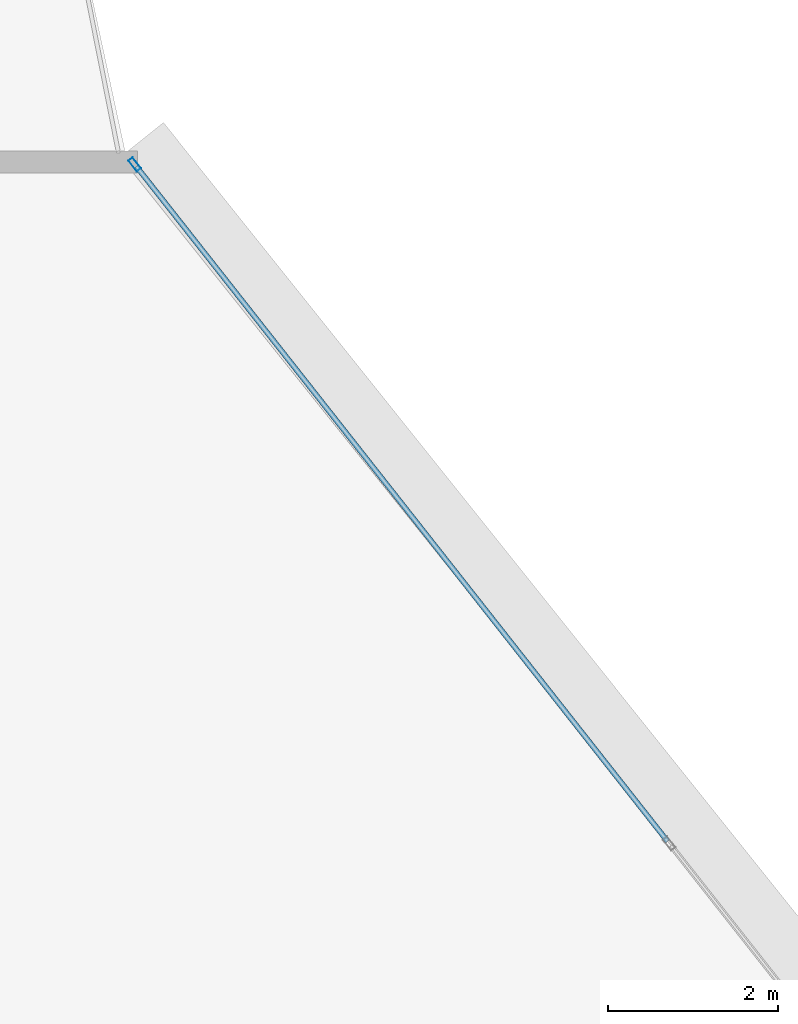
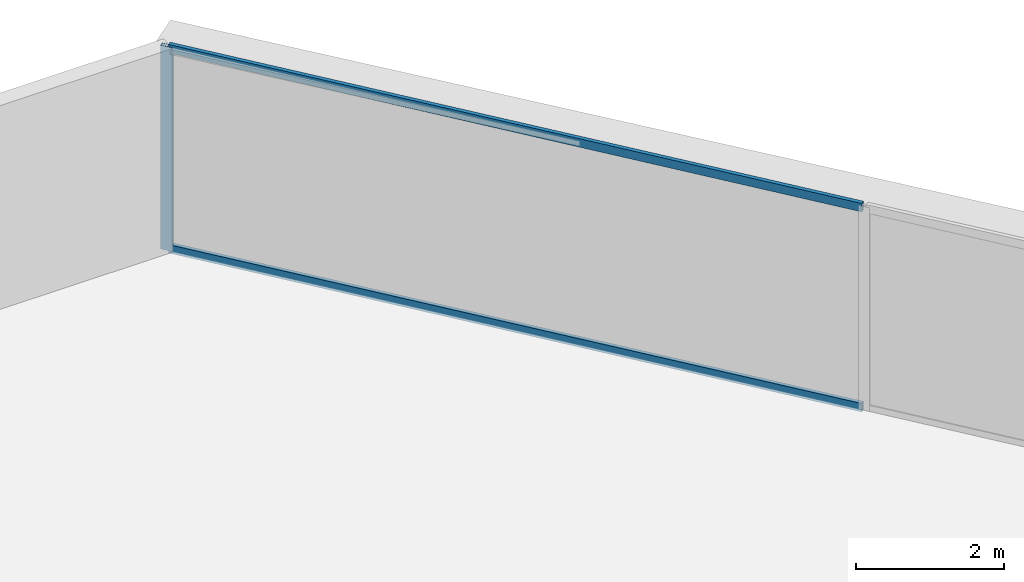
# One storey, part 27 of 38: 3 members, 1 element without a shape of its own.
"""IFC4 building model written with IfcOpenShell, lengths in metres."""

from ifc_helpers import new_model, si_unit, direction, frame, origin, origin_2d, place, context, subcontext, project, spatial, hollow_rectangle, extrude, source, transform, mapped, material, layer, layer_set, material_profile, profile_set, type_object, element, aggregate, save


model = new_model("IFC4")

# Units and contexts
model_context = context("Model", 3, precision=1e-05, world=origin(), true_north=direction((0.0, 1.0)))
body_context = subcontext(model_context, "Body", "Model", "MODEL_VIEW")
ifc_project = project(units=[si_unit("LENGTHUNIT", "METRE"), si_unit("AREAUNIT", "SQUARE_METRE"), si_unit("VOLUMEUNIT", "CUBIC_METRE"), si_unit("PLANEANGLEUNIT", "RADIAN"), si_unit("MASSUNIT", "GRAM", prefix="KILO"), si_unit("THERMODYNAMICTEMPERATUREUNIT", "KELVIN"), si_unit("POWERUNIT", "WATT")], contexts=[model_context])

# Site, building, storey
site_placement = place(None, origin())
site = spatial("IfcSite", under=ifc_project, at=site_placement, CompositionType="ELEMENT")
building_placement = place(site_placement, origin())
building = spatial("IfcBuilding", under=site, at=building_placement, Name="Yunzhuo Pagoda Commons", CompositionType="ELEMENT")
storey_placement = place(building_placement, frame((0.0, 0.0, 37.659912109375)))
storey = spatial("IfcBuildingStorey", under=building, at=storey_placement, Name="L09", CompositionType="ELEMENT", Elevation=37.659912109375)

# Curtain wall, members
ifc_material = material(Name="Anodized aluminium 6063-T6", Category="aluminium")
ifc_layer = layer(ifc_material, 0.1650390625)
ifc_layer_set = layer_set([ifc_layer], Name="Anodized aluminium 6063-T6")
curtain_wall_type = type_object("IfcCurtainWallType", Name="CW-LOW Low-Zone Ribbon Curtain Wall", PredefinedType="NOTDEFINED", material=ifc_layer_set)
curtain_wall_placement = place(storey_placement, origin())
curtain_wall = element("IfcCurtainWall", 1, at=curtain_wall_placement, inside=storey, type_object=curtain_wall_type, Name="L09 curtain wall CW-L09-F2B5", PredefinedType="NOTDEFINED")
ifc_material_profile_1 = material_profile(ifc_material, hollow_rectangle(XDim=0.06005859375, YDim=0.139892578125, WallThickness=0.00341796875, at=origin_2d()), Name="Anodized aluminium 6063-T6")
ifc_profile_set_1 = profile_set([ifc_material_profile_1], Name="Anodized aluminium 6063-T6")
member_type_1 = type_object("IfcMemberType", Name="CW-LOW-T Transom RHS 140x60x3.5", PredefinedType="USERDEFINED", material=ifc_profile_set_1)
shared_shape_1 = source(origin(), body_context, "Body", "SweptSolid", [
    extrude(hollow_rectangle(XDim=0.06005859375, YDim=0.139892578125, WallThickness=0.00341796875, at=origin_2d()), origin(), (0.0, 0.0, 1.0), 10.11669921875),
])
member_1_placement = place(storey_placement, frame((59.0556640625, 80.980224609375, 0.030029296875), z_axis=(-0.618471475788, 0.785807249672, 0.0), x_axis=(-0.785807249672, -0.618471475788, 0.0)))
member_1 = element("IfcMember", 2, at=member_1_placement, type_object=member_type_1, Name="CW transom 2.1", ObjectType="TRANSOM", PredefinedType="USERDEFINED", context=body_context, shape_type="MappedRepresentation", body=[
    mapped(shared_shape_1, transform((0.0, 0.0, 0.0), scale=1.0)),
])
member_2_placement = place(storey_placement, frame((59.0556640625, 80.980224609375, 3.340087890625), z_axis=(-0.618471475788, 0.785807249672, 0.0), x_axis=(-0.785807249672, -0.618471475788, 0.0)))
member_2 = element("IfcMember", 3, at=member_2_placement, type_object=member_type_1, Name="CW transom 2.2", ObjectType="TRANSOM", PredefinedType="USERDEFINED", context=body_context, shape_type="MappedRepresentation", body=[
    mapped(shared_shape_1, transform((0.0, 0.0, 0.0), scale=1.0)),
])
ifc_material_profile_2 = material_profile(ifc_material, hollow_rectangle(XDim=0.06494140625, YDim=0.1650390625, WallThickness=0.00390625, at=origin_2d()), Name="Anodized aluminium 6063-T6")
ifc_profile_set_2 = profile_set([ifc_material_profile_2], Name="Anodized aluminium 6063-T6")
member_type_2 = type_object("IfcMemberType", Name="CW-LOW-M Mullion RHS 165x65x4", PredefinedType="MULLION", material=ifc_profile_set_2)
shared_shape_2 = source(origin(), body_context, "Body", "SweptSolid", [
    extrude(hollow_rectangle(XDim=0.06494140625, YDim=0.1650390625, WallThickness=0.00390625, at=origin_2d()), origin(), (0.0, 0.0, 1.0), 3.3701171875),
])
member_3_placement = place(storey_placement, frame((52.77880859375, 88.955322265625, 0.0), z_axis=(0.0, 0.0, 1.0), x_axis=(-0.785799632369, -0.618481153932, 0.0)))
member_3 = element("IfcMember", 4, at=member_3_placement, type_object=member_type_2, Name="CW mullion 3", PredefinedType="MULLION", context=body_context, shape_type="MappedRepresentation", body=[
    mapped(shared_shape_2, transform((0.0, 0.0, 0.0), scale=1.0)),
])
aggregate(curtain_wall, [member_3, member_1, member_2])

save(model, "model.ifc")
